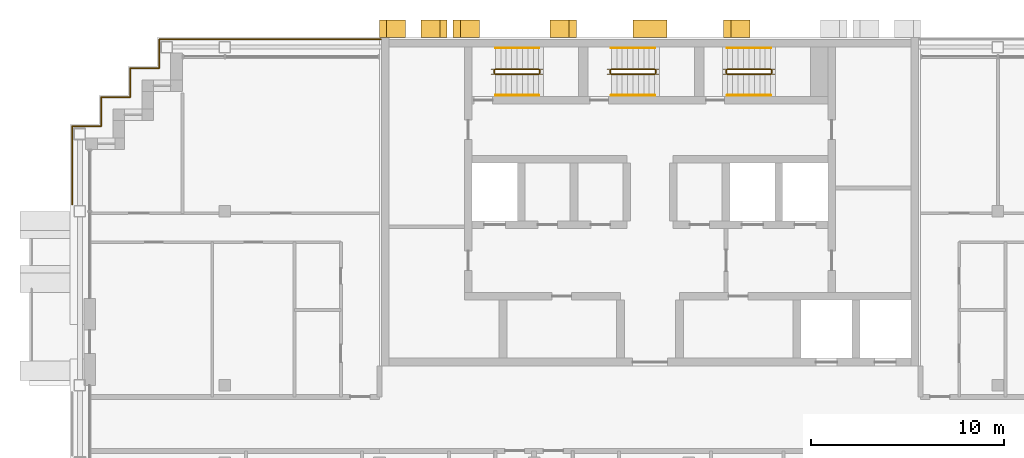
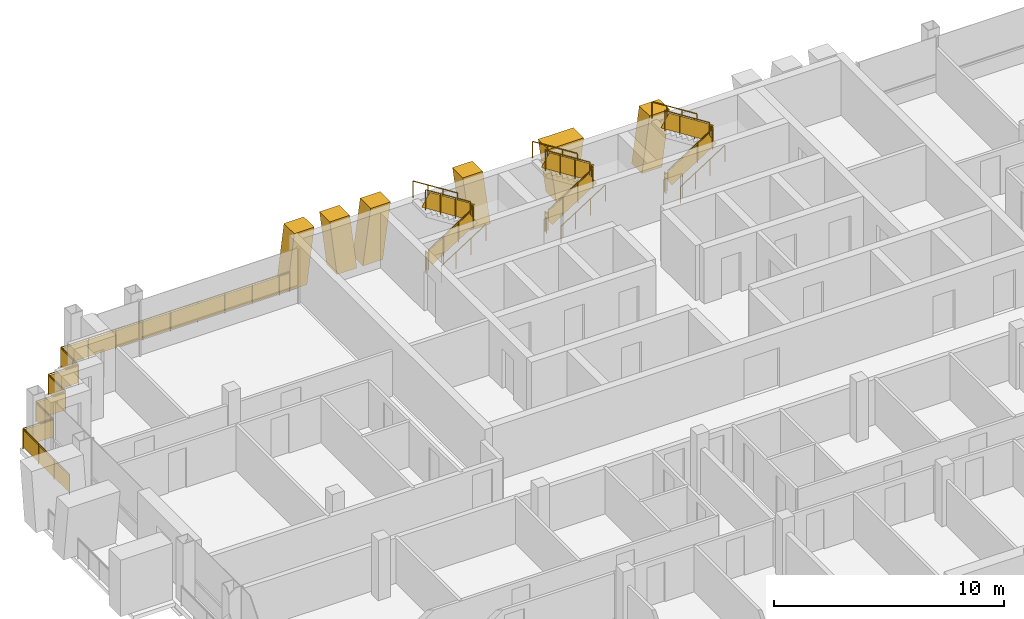
# One storey, part 15 of 16: 21 railings, 6 shading devices.
"""IFC4 building model written with IfcOpenShell, lengths in metres."""

from ifc_helpers import new_model, si_unit, direction, frame, origin, origin_2d, place, context, subcontext, project, spatial, polyline, rectangle, circle, outline, extrude, material, layer, layer_set, type_object, element, save


model = new_model("IFC4")

# Units and contexts
model_context = context("Model", 3, precision=1e-05, world=origin(), true_north=direction((0.0, 1.0)))
body_context = subcontext(model_context, "Body", "Model", "MODEL_VIEW")
ifc_project = project(units=[si_unit("LENGTHUNIT", "METRE"), si_unit("AREAUNIT", "SQUARE_METRE"), si_unit("VOLUMEUNIT", "CUBIC_METRE"), si_unit("PLANEANGLEUNIT", "RADIAN"), si_unit("MASSUNIT", "GRAM", prefix="KILO")], contexts=[model_context])

# Site, building, storey
site_placement = place(None, origin())
site = spatial("IfcSite", under=ifc_project, at=site_placement, CompositionType="ELEMENT")
building_placement = place(site_placement, origin())
building = spatial("IfcBuilding", under=site, at=building_placement, Name="Vidyagriha Tower", CompositionType="ELEMENT")
storey_placement = place(building_placement, frame((0.0, 0.0, 230.0)))
storey = spatial("IfcBuildingStorey", under=building, at=storey_placement, Name="L60", CompositionType="ELEMENT", Elevation=230.0)

# Shading devices
ifc_material_1 = material(Name="Precast concrete C40/50 with brick facing", Category="concrete")
ifc_layer_1 = layer(ifc_material_1, 1.0)
ifc_layer_set_1 = layer_set([ifc_layer_1], Name="Precast concrete C40/50 with brick facing")
shading_device_type_1 = type_object("IfcShadingDeviceType", Name="Brick-faced rear rib arm leaning 8 degrees", PredefinedType="USERDEFINED", material=ifc_layer_set_1)
for number, where, z_axis, x_axis, name in (
    (1, (5.185791015625, 20.449951171875, 0.0), (0.0, 0.0, 1.0), (-1.0, 0.0, 0.0), "Rear rib arm L60 R08.2a"),
    (2, (-8.814208984375, 20.449951171875, 0.0), (0.0, 0.0, 1.0), (-1.0, 0.0, 0.0), "Rear rib arm L60 R08.4a"),
):
    element("IfcShadingDevice", number, at=place(storey_placement, frame(where, z_axis=z_axis, x_axis=x_axis)), inside=storey, type_object=shading_device_type_1, Name=name, ObjectType="BLADE FIN", PredefinedType="USERDEFINED", context=body_context, shape_type="SweptSolid", body=[
        extrude(outline(polyline([(0.3857421875, 0.0), (1.3857421875, 0.0), (1.0, 2.919921875), (0.0, 2.919921875), (0.3857421875, 0.0)])), frame((0.0, 0.449951171875, 0.0), z_axis=(0.0, -1.0, 0.0), x_axis=(1.0, 0.0, 0.0)), (0.0, 0.0, 1.0), 0.89990234375),
    ])
shading_device_1_placement = place(storey_placement, frame((-3.800048828125, 20.449951171875, 0.0), z_axis=(0.0, 0.0, 1.0), x_axis=(-1.0, 0.0, 0.0)))
element("IfcShadingDevice", 3, at=shading_device_1_placement, inside=storey, type_object=shading_device_type_1, Name="Rear rib arm L60 R08.4b", ObjectType="BLADE FIN", PredefinedType="USERDEFINED", context=body_context, shape_type="SweptSolid", body=[
    extrude(outline(polyline([(0.0, 0.0), (1.0, 0.0), (1.3857421875, 2.919921875), (0.3857421875, 2.919921875), (0.0, 0.0)])), frame((0.0, 0.449951171875, 0.0), z_axis=(0.0, -1.0, 0.0), x_axis=(1.0, 0.0, 0.0)), (0.0, 0.0, 1.0), 0.89990234375),
])
shading_device_2_placement = place(storey_placement, frame((-12.642822265625, 20.449951171875, 0.0), z_axis=(0.0, 0.0, 1.0), x_axis=(-1.0, 0.0, 0.0)))
element("IfcShadingDevice", 4, at=shading_device_2_placement, inside=storey, type_object=shading_device_type_1, Name="Rear rib arm L60 R08.5a", ObjectType="BLADE FIN", PredefinedType="USERDEFINED", context=body_context, shape_type="SweptSolid", body=[
    extrude(outline(polyline([(0.357177734375, 0.0), (1.357177734375, 0.0), (1.0, 2.919921875), (0.0, 2.919921875), (0.357177734375, 0.0)])), frame((0.0, 0.449951171875, 0.0), z_axis=(0.0, -1.0, 0.0), x_axis=(1.0, 0.0, 0.0)), (0.0, 0.0, 1.0), 0.89990234375),
])
shading_device_3_placement = place(storey_placement, frame((-10.5, 20.449951171875, 0.0), z_axis=(0.0, 0.0, 1.0), x_axis=(-1.0, 0.0, 0.0)))
element("IfcShadingDevice", 5, at=shading_device_3_placement, inside=storey, type_object=shading_device_type_1, Name="Rear rib arm L60 R08.5b", ObjectType="BLADE FIN", PredefinedType="USERDEFINED", context=body_context, shape_type="SweptSolid", body=[
    extrude(outline(polyline([(0.0, 0.0), (1.0, 0.0), (1.357177734375, 2.919921875), (0.357177734375, 2.919921875), (0.0, 0.0)])), frame((0.0, 0.449951171875, 0.0), z_axis=(0.0, -1.0, 0.0), x_axis=(1.0, 0.0, 0.0)), (0.0, 0.0, 1.0), 0.89990234375),
])
ifc_material_2 = material(Name="Precast concrete C40/50 with brick facing", Category="concrete")
ifc_layer_2 = layer(ifc_material_2, 1.0)
ifc_layer_set_2 = layer_set([ifc_layer_2], Name="Precast concrete C40/50 with brick facing")
shading_device_type_2 = type_object("IfcShadingDeviceType", Name="Brick-faced rear rib forking 8 degrees", PredefinedType="USERDEFINED", material=ifc_layer_set_2)
shading_device_4_placement = place(storey_placement, frame((0.8857421875, 20.449951171875, 0.0), z_axis=(0.0, 0.0, 1.0), x_axis=(-1.0, 0.0, 0.0)))
element("IfcShadingDevice", 6, at=shading_device_4_placement, inside=storey, type_object=shading_device_type_2, Name="Rear rib fork L60 R08.3a", ObjectType="BLADE FIN", PredefinedType="USERDEFINED", context=body_context, shape_type="SweptSolid", body=[
    extrude(outline(polyline([(0.3857421875, 0.0), (1.3857421875, 0.0), (1.771484375, 2.919921875), (0.0, 2.919921875), (0.3857421875, 0.0)])), frame((0.0, 0.449951171875, 0.0), z_axis=(0.0, -1.0, 0.0), x_axis=(1.0, 0.0, 0.0)), (0.0, 0.0, 1.0), 0.89990234375),
])

# Railings
ifc_material_3 = material(Name="Steel ASTM A500 Grade C black painted", Category="steel")
railing_type_1 = type_object("IfcRailingType", Name="Gallery guard 1100", PredefinedType="GUARDRAIL", material=ifc_material_3)
railing_1_placement = place(storey_placement, frame((-29.89990234375, 11.360107421875, 0.0)))
element("IfcRailing", 7, at=railing_1_placement, inside=storey, type_object=railing_type_1, Name="Gallery guard L60 4", PredefinedType="GUARDRAIL", context=body_context, shape_type="SweptSolid", body=[
    extrude(circle(Radius=0.02490234375, at=origin_2d()), frame((0.0, 0.0, 1.0751953125), z_axis=(0.0, 1.0, 0.0), x_axis=(-1.0, 0.0, 0.0)), (0.0, 0.0, 1.0), 4.039794921875),
    extrude(circle(Radius=0.02490234375, at=origin_2d()), frame((0.0, 4.039794921875, 1.0751953125), z_axis=(1.0, 0.0, 0.0), x_axis=(0.0, 1.0, 0.0)), (0.0, 0.0, 1.0), 1.5),
    extrude(circle(Radius=0.02490234375, at=origin_2d()), frame((1.5, 4.039794921875, 1.0751953125), z_axis=(0.0, 1.0, 0.0), x_axis=(-1.0, 0.0, 0.0)), (0.0, 0.0, 1.0), 1.5),
    extrude(circle(Radius=0.02490234375, at=origin_2d()), frame((1.5, 5.539794921875, 1.0751953125), z_axis=(1.0, 0.0, 0.0), x_axis=(0.0, 1.0, 0.0)), (0.0, 0.0, 1.0), 1.5),
    extrude(circle(Radius=0.02490234375, at=origin_2d()), frame((3.0, 5.539794921875, 1.0751953125), z_axis=(0.0, 1.0, 0.0), x_axis=(-1.0, 0.0, 0.0)), (0.0, 0.0, 1.0), 1.5),
    extrude(circle(Radius=0.02490234375, at=origin_2d()), frame((3.0, 7.039794921875, 1.0751953125), z_axis=(1.0, 0.0, 0.0), x_axis=(0.0, 1.0, 0.0)), (0.0, 0.0, 1.0), 1.5),
    extrude(circle(Radius=0.02490234375, at=origin_2d()), frame((4.5, 7.039794921875, 1.0751953125), z_axis=(0.0, 1.0, 0.0), x_axis=(-1.0, 0.0, 0.0)), (0.0, 0.0, 1.0), 0.460205078125),
    extrude(circle(Radius=0.02001953125, at=origin_2d()), origin(), (0.0, 0.0, 1.0), 1.050048828125),
    extrude(circle(Radius=0.02001953125, at=origin_2d()), frame((0.0, 1.3466796875, 0.0)), (0.0, 0.0, 1.0), 1.050048828125),
    extrude(circle(Radius=0.02001953125, at=origin_2d()), frame((0.0, 2.693115234375, 0.0)), (0.0, 0.0, 1.0), 1.050048828125),
    extrude(circle(Radius=0.02001953125, at=origin_2d()), frame((0.0, 4.039794921875, 0.0)), (0.0, 0.0, 1.0), 1.050048828125),
    extrude(circle(Radius=0.02001953125, at=origin_2d()), frame((1.5, 4.039794921875, 0.0)), (0.0, 0.0, 1.0), 1.050048828125),
    extrude(circle(Radius=0.02001953125, at=origin_2d()), frame((1.5, 5.539794921875, 0.0)), (0.0, 0.0, 1.0), 1.050048828125),
    extrude(circle(Radius=0.02001953125, at=origin_2d()), frame((3.0, 5.539794921875, 0.0)), (0.0, 0.0, 1.0), 1.050048828125),
    extrude(circle(Radius=0.02001953125, at=origin_2d()), frame((3.0, 7.039794921875, 0.0)), (0.0, 0.0, 1.0), 1.050048828125),
    extrude(circle(Radius=0.02001953125, at=origin_2d()), frame((4.5, 7.039794921875, 0.0)), (0.0, 0.0, 1.0), 1.050048828125),
    extrude(circle(Radius=0.02001953125, at=origin_2d()), frame((4.5, 7.5, 0.0)), (0.0, 0.0, 1.0), 1.050048828125),
    extrude(rectangle(XDim=0.010009765625, YDim=0.900146484375, at=origin_2d()), frame((0.0, 0.0, 0.550048828125), z_axis=(0.0, 1.0, 0.0), x_axis=(-1.0, 0.0, 0.0)), (0.0, 0.0, 1.0), 4.039794921875),
    extrude(rectangle(XDim=0.010009765625, YDim=0.900146484375, at=origin_2d()), frame((0.0, 4.039794921875, 0.550048828125), z_axis=(1.0, 0.0, 0.0), x_axis=(0.0, 1.0, 0.0)), (0.0, 0.0, 1.0), 1.5),
    extrude(rectangle(XDim=0.010009765625, YDim=0.900146484375, at=origin_2d()), frame((1.5, 4.039794921875, 0.550048828125), z_axis=(0.0, 1.0, 0.0), x_axis=(-1.0, 0.0, 0.0)), (0.0, 0.0, 1.0), 1.5),
    extrude(rectangle(XDim=0.010009765625, YDim=0.900146484375, at=origin_2d()), frame((1.5, 5.539794921875, 0.550048828125), z_axis=(1.0, 0.0, 0.0), x_axis=(0.0, 1.0, 0.0)), (0.0, 0.0, 1.0), 1.5),
    extrude(rectangle(XDim=0.010009765625, YDim=0.900146484375, at=origin_2d()), frame((3.0, 5.539794921875, 0.550048828125), z_axis=(0.0, 1.0, 0.0), x_axis=(-1.0, 0.0, 0.0)), (0.0, 0.0, 1.0), 1.5),
    extrude(rectangle(XDim=0.010009765625, YDim=0.900146484375, at=origin_2d()), frame((3.0, 7.039794921875, 0.550048828125), z_axis=(1.0, 0.0, 0.0), x_axis=(0.0, 1.0, 0.0)), (0.0, 0.0, 1.0), 1.5),
    extrude(rectangle(XDim=0.010009765625, YDim=0.900146484375, at=origin_2d()), frame((4.5, 7.039794921875, 0.550048828125), z_axis=(0.0, 1.0, 0.0), x_axis=(-1.0, 0.0, 0.0)), (0.0, 0.0, 1.0), 0.460205078125),
])
railing_2_placement = place(storey_placement, frame((-25.39990234375, 18.860107421875, 0.0)))
element("IfcRailing", 8, at=railing_2_placement, inside=storey, type_object=railing_type_1, Name="Gallery guard L60 5", PredefinedType="GUARDRAIL", context=body_context, shape_type="SweptSolid", body=[
    extrude(circle(Radius=0.02490234375, at=origin_2d()), frame((0.0, 0.0, 1.0751953125), z_axis=(0.0, 1.0, 0.0), x_axis=(-1.0, 0.0, 0.0)), (0.0, 0.0, 1.0), 1.039794921875),
    extrude(circle(Radius=0.02490234375, at=origin_2d()), frame((0.0, 1.039794921875, 1.0751953125), z_axis=(1.0, 0.0, 0.0), x_axis=(0.0, 1.0, 0.0)), (0.0, 0.0, 1.0), 10.9599609375),
    extrude(circle(Radius=0.02001953125, at=origin_2d()), origin(), (0.0, 0.0, 1.0), 1.050048828125),
    extrude(circle(Radius=0.02001953125, at=origin_2d()), frame((0.0, 1.039794921875, 0.0)), (0.0, 0.0, 1.0), 1.050048828125),
    extrude(circle(Radius=0.02001953125, at=origin_2d()), frame((1.3701171875, 1.039794921875, 0.0)), (0.0, 0.0, 1.0), 1.050048828125),
    extrude(circle(Radius=0.02001953125, at=origin_2d()), frame((2.739990234375, 1.039794921875, 0.0)), (0.0, 0.0, 1.0), 1.050048828125),
    extrude(circle(Radius=0.02001953125, at=origin_2d()), frame((4.10986328125, 1.039794921875, 0.0)), (0.0, 0.0, 1.0), 1.050048828125),
    extrude(circle(Radius=0.02001953125, at=origin_2d()), frame((5.47998046875, 1.039794921875, 0.0)), (0.0, 0.0, 1.0), 1.050048828125),
    extrude(circle(Radius=0.02001953125, at=origin_2d()), frame((6.85009765625, 1.039794921875, 0.0)), (0.0, 0.0, 1.0), 1.050048828125),
    extrude(circle(Radius=0.02001953125, at=origin_2d()), frame((8.219970703125, 1.039794921875, 0.0)), (0.0, 0.0, 1.0), 1.050048828125),
    extrude(circle(Radius=0.02001953125, at=origin_2d()), frame((9.58984375, 1.039794921875, 0.0)), (0.0, 0.0, 1.0), 1.050048828125),
    extrude(circle(Radius=0.02001953125, at=origin_2d()), frame((10.9599609375, 1.039794921875, 0.0)), (0.0, 0.0, 1.0), 1.050048828125),
    extrude(rectangle(XDim=0.010009765625, YDim=0.900146484375, at=origin_2d()), frame((0.0, 0.0, 0.550048828125), z_axis=(0.0, 1.0, 0.0), x_axis=(-1.0, 0.0, 0.0)), (0.0, 0.0, 1.0), 1.039794921875),
    extrude(rectangle(XDim=0.010009765625, YDim=0.900146484375, at=origin_2d()), frame((0.0, 1.039794921875, 0.550048828125), z_axis=(1.0, 0.0, 0.0), x_axis=(0.0, 1.0, 0.0)), (0.0, 0.0, 1.0), 10.9599609375),
])
railing_3_placement = place(storey_placement, frame((-14.43994140625, 19.89990234375, 0.0)))
element("IfcRailing", 9, at=railing_3_placement, inside=storey, type_object=railing_type_1, Name="Gallery guard L60 6", PredefinedType="GUARDRAIL", context=body_context, shape_type="SweptSolid", body=[
    extrude(circle(Radius=0.02490234375, at=origin_2d()), frame((0.0, 0.0, 1.0751953125), z_axis=(1.0, 0.0, 0.0), x_axis=(0.0, 1.0, 0.0)), (0.0, 0.0, 1.0), 0.510009765625),
    extrude(circle(Radius=0.02001953125, at=origin_2d()), origin(), (0.0, 0.0, 1.0), 1.050048828125),
    extrude(circle(Radius=0.02001953125, at=origin_2d()), frame((0.510009765625, 0.0, 0.0)), (0.0, 0.0, 1.0), 1.050048828125),
    extrude(rectangle(XDim=0.010009765625, YDim=0.900146484375, at=origin_2d()), frame((0.0, 0.0, 0.550048828125), z_axis=(1.0, 0.0, 0.0), x_axis=(0.0, 1.0, 0.0)), (0.0, 0.0, 1.0), 0.510009765625),
])
ifc_material_4 = material(Name="Steel ASTM A500 Grade C", Category="steel")
railing_type_2 = type_object("IfcRailingType", Name="Stair guard 1100 mm, steel balustrade", PredefinedType="GUARDRAIL", material=ifc_material_4)
railing_4_placement = place(storey_placement, frame((-8.0, 18.10009765625, 0.177734375)))
element("IfcRailing", 10, at=railing_4_placement, inside=storey, type_object=railing_type_2, Name="L60 ST1 stair guard 1", PredefinedType="GUARDRAIL", context=body_context, shape_type="SweptSolid", body=[
    extrude(circle(Radius=0.02392578125, at=origin_2d()), frame((0.0, 0.0, 1.076171875), z_axis=(0.84418770128, 0.0, 0.536047689118), x_axis=(0.0, 1.0, 0.0)), (0.0, 0.0, 1.0), 2.6533203125),
    extrude(circle(Radius=0.02099609375, at=origin_2d()), origin(), (0.0, 0.0, 1.0), 1.052001953125),
    extrude(circle(Radius=0.02099609375, at=origin_2d()), frame((0.74658203125, 0.0, 0.47412109375)), (0.0, 0.0, 1.0), 1.052001953125),
    extrude(circle(Radius=0.02099609375, at=origin_2d()), frame((1.493408203125, 0.0, 0.9482421875)), (0.0, 0.0, 1.0), 1.052001953125),
    extrude(circle(Radius=0.02099609375, at=origin_2d()), frame((2.239990234375, 0.0, 1.42236328125)), (0.0, 0.0, 1.0), 1.052001953125),
    extrude(rectangle(XDim=0.010009765625, YDim=0.761474609375, at=origin_2d()), frame((0.0, 0.0, 0.551025390625), z_axis=(0.84418770128, 0.0, 0.536047689118), x_axis=(0.0, 1.0, 0.0)), (0.0, 0.0, 1.0), 2.6533203125),
])
railing_5_placement = place(storey_placement, frame((-5.7099609375, 18.14990234375, 1.60009765625)))
element("IfcRailing", 11, at=railing_5_placement, inside=storey, type_object=railing_type_2, Name="L60 ST1 stair guard 2", PredefinedType="GUARDRAIL", context=body_context, shape_type="SweptSolid", body=[
    extrude(circle(Radius=0.02392578125, at=origin_2d()), frame((0.0, 0.0, 1.076171875), z_axis=(0.0, 1.0, 0.0), x_axis=(-1.0, 0.0, 0.0)), (0.0, 0.0, 1.0), 0.150146484375),
    extrude(circle(Radius=0.02099609375, at=origin_2d()), origin(), (0.0, 0.0, 1.0), 1.052001953125),
    extrude(circle(Radius=0.02099609375, at=origin_2d()), frame((0.0, 0.150146484375, 0.0)), (0.0, 0.0, 1.0), 1.052001953125),
    extrude(rectangle(XDim=0.010009765625, YDim=0.902099609375, at=origin_2d()), frame((0.0, 0.0, 0.551025390625), z_axis=(0.0, 1.0, 0.0), x_axis=(-1.0, 0.0, 0.0)), (0.0, 0.0, 1.0), 0.150146484375),
])
railing_6_placement = place(storey_placement, frame((-5.760009765625, 18.35009765625, 1.77783203125)))
element("IfcRailing", 12, at=railing_6_placement, inside=storey, type_object=railing_type_2, Name="L60 ST1 stair guard 3", PredefinedType="GUARDRAIL", context=body_context, shape_type="SweptSolid", body=[
    extrude(circle(Radius=0.02392578125, at=origin_2d()), frame((0.0, 0.0, 1.076171875), z_axis=(-0.8442293374, 0.0, 0.53598211339), x_axis=(0.0, -1.0, 0.0)), (0.0, 0.0, 1.0), 2.6533203125),
    extrude(circle(Radius=0.02099609375, at=origin_2d()), origin(), (0.0, 0.0, 1.0), 1.052001953125),
    extrude(circle(Radius=0.02099609375, at=origin_2d()), frame((-0.74658203125, 0.0, 0.47412109375)), (0.0, 0.0, 1.0), 1.052001953125),
    extrude(circle(Radius=0.02099609375, at=origin_2d()), frame((-1.493408203125, 0.0, 0.947998046875)), (0.0, 0.0, 1.0), 1.052001953125),
    extrude(circle(Radius=0.02099609375, at=origin_2d()), frame((-2.239990234375, 0.0, 1.422119140625)), (0.0, 0.0, 1.0), 1.052001953125),
    extrude(rectangle(XDim=0.010009765625, YDim=0.761474609375, at=origin_2d()), frame((0.0, 0.0, 0.551025390625), z_axis=(-0.8442293374, 0.0, 0.53598211339), x_axis=(0.0, -1.0, 0.0)), (0.0, 0.0, 1.0), 2.6533203125),
])
railing_7_placement = place(storey_placement, frame((-8.050048828125, 18.14990234375, 0.0)))
element("IfcRailing", 13, at=railing_7_placement, inside=storey, type_object=railing_type_2, Name="L60 ST1 stair guard 4", PredefinedType="GUARDRAIL", context=body_context, shape_type="SweptSolid", body=[
    extrude(circle(Radius=0.02392578125, at=origin_2d()), frame((0.0, 0.0, 1.076171875), z_axis=(0.0, 1.0, 0.0), x_axis=(-1.0, 0.0, 0.0)), (0.0, 0.0, 1.0), 0.150146484375),
    extrude(circle(Radius=0.02099609375, at=origin_2d()), origin(), (0.0, 0.0, 1.0), 1.052001953125),
    extrude(circle(Radius=0.02099609375, at=origin_2d()), frame((0.0, 0.150146484375, 0.0)), (0.0, 0.0, 1.0), 1.052001953125),
    extrude(rectangle(XDim=0.010009765625, YDim=0.902099609375, at=origin_2d()), frame((0.0, 0.0, 0.551025390625), z_axis=(0.0, 1.0, 0.0), x_axis=(-1.0, 0.0, 0.0)), (0.0, 0.0, 1.0), 0.150146484375),
])
railing_8_placement = place(storey_placement, frame((-2.0, 18.10009765625, 0.177734375)))
element("IfcRailing", 14, at=railing_8_placement, inside=storey, type_object=railing_type_2, Name="L60 ST2 stair guard 1", PredefinedType="GUARDRAIL", context=body_context, shape_type="SweptSolid", body=[
    extrude(circle(Radius=0.02392578125, at=origin_2d()), frame((0.0, 0.0, 1.076171875), z_axis=(0.84418770128, 0.0, 0.536047689118), x_axis=(0.0, 1.0, 0.0)), (0.0, 0.0, 1.0), 2.6533203125),
    extrude(circle(Radius=0.02099609375, at=origin_2d()), origin(), (0.0, 0.0, 1.0), 1.052001953125),
    extrude(circle(Radius=0.02099609375, at=origin_2d()), frame((0.74658203125, 0.0, 0.47412109375)), (0.0, 0.0, 1.0), 1.052001953125),
    extrude(circle(Radius=0.02099609375, at=origin_2d()), frame((1.493408203125, 0.0, 0.9482421875)), (0.0, 0.0, 1.0), 1.052001953125),
    extrude(circle(Radius=0.02099609375, at=origin_2d()), frame((2.239990234375, 0.0, 1.42236328125)), (0.0, 0.0, 1.0), 1.052001953125),
    extrude(rectangle(XDim=0.010009765625, YDim=0.761474609375, at=origin_2d()), frame((0.0, 0.0, 0.551025390625), z_axis=(0.84418770128, 0.0, 0.536047689118), x_axis=(0.0, 1.0, 0.0)), (0.0, 0.0, 1.0), 2.6533203125),
])
railing_9_placement = place(storey_placement, frame((0.2900390625, 18.14990234375, 1.60009765625)))
element("IfcRailing", 15, at=railing_9_placement, inside=storey, type_object=railing_type_2, Name="L60 ST2 stair guard 2", PredefinedType="GUARDRAIL", context=body_context, shape_type="SweptSolid", body=[
    extrude(circle(Radius=0.02392578125, at=origin_2d()), frame((0.0, 0.0, 1.076171875), z_axis=(0.0, 1.0, 0.0), x_axis=(-1.0, 0.0, 0.0)), (0.0, 0.0, 1.0), 0.150146484375),
    extrude(circle(Radius=0.02099609375, at=origin_2d()), origin(), (0.0, 0.0, 1.0), 1.052001953125),
    extrude(circle(Radius=0.02099609375, at=origin_2d()), frame((0.0, 0.150146484375, 0.0)), (0.0, 0.0, 1.0), 1.052001953125),
    extrude(rectangle(XDim=0.010009765625, YDim=0.902099609375, at=origin_2d()), frame((0.0, 0.0, 0.551025390625), z_axis=(0.0, 1.0, 0.0), x_axis=(-1.0, 0.0, 0.0)), (0.0, 0.0, 1.0), 0.150146484375),
])
railing_10_placement = place(storey_placement, frame((0.239990234375, 18.35009765625, 1.77783203125)))
element("IfcRailing", 16, at=railing_10_placement, inside=storey, type_object=railing_type_2, Name="L60 ST2 stair guard 3", PredefinedType="GUARDRAIL", context=body_context, shape_type="SweptSolid", body=[
    extrude(circle(Radius=0.02392578125, at=origin_2d()), frame((0.0, 0.0, 1.076171875), z_axis=(-0.8442293374, 0.0, 0.53598211339), x_axis=(0.0, -1.0, 0.0)), (0.0, 0.0, 1.0), 2.6533203125),
    extrude(circle(Radius=0.02099609375, at=origin_2d()), origin(), (0.0, 0.0, 1.0), 1.052001953125),
    extrude(circle(Radius=0.02099609375, at=origin_2d()), frame((-0.74658203125, 0.0, 0.47412109375)), (0.0, 0.0, 1.0), 1.052001953125),
    extrude(circle(Radius=0.02099609375, at=origin_2d()), frame((-1.493408203125, 0.0, 0.947998046875)), (0.0, 0.0, 1.0), 1.052001953125),
    extrude(circle(Radius=0.02099609375, at=origin_2d()), frame((-2.239990234375, 0.0, 1.422119140625)), (0.0, 0.0, 1.0), 1.052001953125),
    extrude(rectangle(XDim=0.010009765625, YDim=0.761474609375, at=origin_2d()), frame((0.0, 0.0, 0.551025390625), z_axis=(-0.8442293374, 0.0, 0.53598211339), x_axis=(0.0, -1.0, 0.0)), (0.0, 0.0, 1.0), 2.6533203125),
])
railing_11_placement = place(storey_placement, frame((-2.050048828125, 18.14990234375, 0.0)))
element("IfcRailing", 17, at=railing_11_placement, inside=storey, type_object=railing_type_2, Name="L60 ST2 stair guard 4", PredefinedType="GUARDRAIL", context=body_context, shape_type="SweptSolid", body=[
    extrude(circle(Radius=0.02392578125, at=origin_2d()), frame((0.0, 0.0, 1.076171875), z_axis=(0.0, 1.0, 0.0), x_axis=(-1.0, 0.0, 0.0)), (0.0, 0.0, 1.0), 0.150146484375),
    extrude(circle(Radius=0.02099609375, at=origin_2d()), origin(), (0.0, 0.0, 1.0), 1.052001953125),
    extrude(circle(Radius=0.02099609375, at=origin_2d()), frame((0.0, 0.150146484375, 0.0)), (0.0, 0.0, 1.0), 1.052001953125),
    extrude(rectangle(XDim=0.010009765625, YDim=0.902099609375, at=origin_2d()), frame((0.0, 0.0, 0.551025390625), z_axis=(0.0, 1.0, 0.0), x_axis=(-1.0, 0.0, 0.0)), (0.0, 0.0, 1.0), 0.150146484375),
])
railing_12_placement = place(storey_placement, frame((4.0, 18.10009765625, 0.177734375)))
element("IfcRailing", 18, at=railing_12_placement, inside=storey, type_object=railing_type_2, Name="L60 ST3 stair guard 1", PredefinedType="GUARDRAIL", context=body_context, shape_type="SweptSolid", body=[
    extrude(circle(Radius=0.02392578125, at=origin_2d()), frame((0.0, 0.0, 1.076171875), z_axis=(0.84418770128, 0.0, 0.536047689118), x_axis=(0.0, 1.0, 0.0)), (0.0, 0.0, 1.0), 2.6533203125),
    extrude(circle(Radius=0.02099609375, at=origin_2d()), origin(), (0.0, 0.0, 1.0), 1.052001953125),
    extrude(circle(Radius=0.02099609375, at=origin_2d()), frame((0.74658203125, 0.0, 0.47412109375)), (0.0, 0.0, 1.0), 1.052001953125),
    extrude(circle(Radius=0.02099609375, at=origin_2d()), frame((1.493408203125, 0.0, 0.9482421875)), (0.0, 0.0, 1.0), 1.052001953125),
    extrude(circle(Radius=0.02099609375, at=origin_2d()), frame((2.239990234375, 0.0, 1.42236328125)), (0.0, 0.0, 1.0), 1.052001953125),
    extrude(rectangle(XDim=0.010009765625, YDim=0.761474609375, at=origin_2d()), frame((0.0, 0.0, 0.551025390625), z_axis=(0.84418770128, 0.0, 0.536047689118), x_axis=(0.0, 1.0, 0.0)), (0.0, 0.0, 1.0), 2.6533203125),
])
railing_13_placement = place(storey_placement, frame((6.2900390625, 18.14990234375, 1.60009765625)))
element("IfcRailing", 19, at=railing_13_placement, inside=storey, type_object=railing_type_2, Name="L60 ST3 stair guard 2", PredefinedType="GUARDRAIL", context=body_context, shape_type="SweptSolid", body=[
    extrude(circle(Radius=0.02392578125, at=origin_2d()), frame((0.0, 0.0, 1.076171875), z_axis=(0.0, 1.0, 0.0), x_axis=(-1.0, 0.0, 0.0)), (0.0, 0.0, 1.0), 0.150146484375),
    extrude(circle(Radius=0.02099609375, at=origin_2d()), origin(), (0.0, 0.0, 1.0), 1.052001953125),
    extrude(circle(Radius=0.02099609375, at=origin_2d()), frame((0.0, 0.150146484375, 0.0)), (0.0, 0.0, 1.0), 1.052001953125),
    extrude(rectangle(XDim=0.010009765625, YDim=0.902099609375, at=origin_2d()), frame((0.0, 0.0, 0.551025390625), z_axis=(0.0, 1.0, 0.0), x_axis=(-1.0, 0.0, 0.0)), (0.0, 0.0, 1.0), 0.150146484375),
])
railing_14_placement = place(storey_placement, frame((6.239990234375, 18.35009765625, 1.77783203125)))
element("IfcRailing", 20, at=railing_14_placement, inside=storey, type_object=railing_type_2, Name="L60 ST3 stair guard 3", PredefinedType="GUARDRAIL", context=body_context, shape_type="SweptSolid", body=[
    extrude(circle(Radius=0.02392578125, at=origin_2d()), frame((0.0, 0.0, 1.076171875), z_axis=(-0.8442293374, 0.0, 0.53598211339), x_axis=(0.0, -1.0, 0.0)), (0.0, 0.0, 1.0), 2.6533203125),
    extrude(circle(Radius=0.02099609375, at=origin_2d()), origin(), (0.0, 0.0, 1.0), 1.052001953125),
    extrude(circle(Radius=0.02099609375, at=origin_2d()), frame((-0.74658203125, 0.0, 0.47412109375)), (0.0, 0.0, 1.0), 1.052001953125),
    extrude(circle(Radius=0.02099609375, at=origin_2d()), frame((-1.493408203125, 0.0, 0.947998046875)), (0.0, 0.0, 1.0), 1.052001953125),
    extrude(circle(Radius=0.02099609375, at=origin_2d()), frame((-2.239990234375, 0.0, 1.422119140625)), (0.0, 0.0, 1.0), 1.052001953125),
    extrude(rectangle(XDim=0.010009765625, YDim=0.761474609375, at=origin_2d()), frame((0.0, 0.0, 0.551025390625), z_axis=(-0.8442293374, 0.0, 0.53598211339), x_axis=(0.0, -1.0, 0.0)), (0.0, 0.0, 1.0), 2.6533203125),
])
railing_15_placement = place(storey_placement, frame((3.949951171875, 18.14990234375, 0.0)))
element("IfcRailing", 21, at=railing_15_placement, inside=storey, type_object=railing_type_2, Name="L60 ST3 stair guard 4", PredefinedType="GUARDRAIL", context=body_context, shape_type="SweptSolid", body=[
    extrude(circle(Radius=0.02392578125, at=origin_2d()), frame((0.0, 0.0, 1.076171875), z_axis=(0.0, 1.0, 0.0), x_axis=(-1.0, 0.0, 0.0)), (0.0, 0.0, 1.0), 0.150146484375),
    extrude(circle(Radius=0.02099609375, at=origin_2d()), origin(), (0.0, 0.0, 1.0), 1.052001953125),
    extrude(circle(Radius=0.02099609375, at=origin_2d()), frame((0.0, 0.150146484375, 0.0)), (0.0, 0.0, 1.0), 1.052001953125),
    extrude(rectangle(XDim=0.010009765625, YDim=0.902099609375, at=origin_2d()), frame((0.0, 0.0, 0.551025390625), z_axis=(0.0, 1.0, 0.0), x_axis=(-1.0, 0.0, 0.0)), (0.0, 0.0, 1.0), 0.150146484375),
])
ifc_material_5 = material(Name="Steel ASTM A500 Grade C", Category="steel")
railing_type_3 = type_object("IfcRailingType", Name="Stair handrail 900 mm, steel", PredefinedType="HANDRAIL", material=ifc_material_5)
railing_16_placement = place(storey_placement, frame((-8.0, 17.0, 0.177734375)))
element("IfcRailing", 22, at=railing_16_placement, inside=storey, type_object=railing_type_3, Name="L60 ST1 stair handrail 1", PredefinedType="HANDRAIL", context=body_context, shape_type="SweptSolid", body=[
    extrude(circle(Radius=0.02392578125, at=origin_2d()), frame((0.0, 0.0, 0.8759765625), z_axis=(0.84418770128, 0.0, 0.536047689118), x_axis=(0.0, 1.0, 0.0)), (0.0, 0.0, 1.0), 2.6533203125),
    extrude(circle(Radius=0.02099609375, at=origin_2d()), origin(), (0.0, 0.0, 1.0), 0.851806640625),
    extrude(circle(Radius=0.02099609375, at=origin_2d()), frame((0.74658203125, 0.0, 0.47412109375)), (0.0, 0.0, 1.0), 0.851806640625),
    extrude(circle(Radius=0.02099609375, at=origin_2d()), frame((1.493408203125, 0.0, 0.9482421875)), (0.0, 0.0, 1.0), 0.851806640625),
    extrude(circle(Radius=0.02099609375, at=origin_2d()), frame((2.239990234375, 0.0, 1.42236328125)), (0.0, 0.0, 1.0), 0.851806640625),
])
railing_17_placement = place(storey_placement, frame((-5.760009765625, 19.449951171875, 1.77783203125)))
element("IfcRailing", 23, at=railing_17_placement, inside=storey, type_object=railing_type_3, Name="L60 ST1 stair handrail 2", PredefinedType="HANDRAIL", context=body_context, shape_type="SweptSolid", body=[
    extrude(circle(Radius=0.02392578125, at=origin_2d()), frame((0.0, 0.0, 0.8759765625), z_axis=(-0.8442293374, 0.0, 0.53598211339), x_axis=(0.0, -1.0, 0.0)), (0.0, 0.0, 1.0), 2.6533203125),
    extrude(circle(Radius=0.02099609375, at=origin_2d()), origin(), (0.0, 0.0, 1.0), 0.851806640625),
    extrude(circle(Radius=0.02099609375, at=origin_2d()), frame((-0.74658203125, 0.0, 0.47412109375)), (0.0, 0.0, 1.0), 0.851806640625),
    extrude(circle(Radius=0.02099609375, at=origin_2d()), frame((-1.493408203125, 0.0, 0.947998046875)), (0.0, 0.0, 1.0), 0.851806640625),
    extrude(circle(Radius=0.02099609375, at=origin_2d()), frame((-2.239990234375, 0.0, 1.422119140625)), (0.0, 0.0, 1.0), 0.851806640625),
])
railing_18_placement = place(storey_placement, frame((-2.0, 17.0, 0.177734375)))
element("IfcRailing", 24, at=railing_18_placement, inside=storey, type_object=railing_type_3, Name="L60 ST2 stair handrail 1", PredefinedType="HANDRAIL", context=body_context, shape_type="SweptSolid", body=[
    extrude(circle(Radius=0.02392578125, at=origin_2d()), frame((0.0, 0.0, 0.8759765625), z_axis=(0.84418770128, 0.0, 0.536047689118), x_axis=(0.0, 1.0, 0.0)), (0.0, 0.0, 1.0), 2.6533203125),
    extrude(circle(Radius=0.02099609375, at=origin_2d()), origin(), (0.0, 0.0, 1.0), 0.851806640625),
    extrude(circle(Radius=0.02099609375, at=origin_2d()), frame((0.74658203125, 0.0, 0.47412109375)), (0.0, 0.0, 1.0), 0.851806640625),
    extrude(circle(Radius=0.02099609375, at=origin_2d()), frame((1.493408203125, 0.0, 0.9482421875)), (0.0, 0.0, 1.0), 0.851806640625),
    extrude(circle(Radius=0.02099609375, at=origin_2d()), frame((2.239990234375, 0.0, 1.42236328125)), (0.0, 0.0, 1.0), 0.851806640625),
])
railing_19_placement = place(storey_placement, frame((0.239990234375, 19.449951171875, 1.77783203125)))
element("IfcRailing", 25, at=railing_19_placement, inside=storey, type_object=railing_type_3, Name="L60 ST2 stair handrail 2", PredefinedType="HANDRAIL", context=body_context, shape_type="SweptSolid", body=[
    extrude(circle(Radius=0.02392578125, at=origin_2d()), frame((0.0, 0.0, 0.8759765625), z_axis=(-0.8442293374, 0.0, 0.53598211339), x_axis=(0.0, -1.0, 0.0)), (0.0, 0.0, 1.0), 2.6533203125),
    extrude(circle(Radius=0.02099609375, at=origin_2d()), origin(), (0.0, 0.0, 1.0), 0.851806640625),
    extrude(circle(Radius=0.02099609375, at=origin_2d()), frame((-0.74658203125, 0.0, 0.47412109375)), (0.0, 0.0, 1.0), 0.851806640625),
    extrude(circle(Radius=0.02099609375, at=origin_2d()), frame((-1.493408203125, 0.0, 0.947998046875)), (0.0, 0.0, 1.0), 0.851806640625),
    extrude(circle(Radius=0.02099609375, at=origin_2d()), frame((-2.239990234375, 0.0, 1.422119140625)), (0.0, 0.0, 1.0), 0.851806640625),
])
railing_20_placement = place(storey_placement, frame((4.0, 17.0, 0.177734375)))
element("IfcRailing", 26, at=railing_20_placement, inside=storey, type_object=railing_type_3, Name="L60 ST3 stair handrail 1", PredefinedType="HANDRAIL", context=body_context, shape_type="SweptSolid", body=[
    extrude(circle(Radius=0.02392578125, at=origin_2d()), frame((0.0, 0.0, 0.8759765625), z_axis=(0.84418770128, 0.0, 0.536047689118), x_axis=(0.0, 1.0, 0.0)), (0.0, 0.0, 1.0), 2.6533203125),
    extrude(circle(Radius=0.02099609375, at=origin_2d()), origin(), (0.0, 0.0, 1.0), 0.851806640625),
    extrude(circle(Radius=0.02099609375, at=origin_2d()), frame((0.74658203125, 0.0, 0.47412109375)), (0.0, 0.0, 1.0), 0.851806640625),
    extrude(circle(Radius=0.02099609375, at=origin_2d()), frame((1.493408203125, 0.0, 0.9482421875)), (0.0, 0.0, 1.0), 0.851806640625),
    extrude(circle(Radius=0.02099609375, at=origin_2d()), frame((2.239990234375, 0.0, 1.42236328125)), (0.0, 0.0, 1.0), 0.851806640625),
])
railing_21_placement = place(storey_placement, frame((6.239990234375, 19.449951171875, 1.77783203125)))
element("IfcRailing", 27, at=railing_21_placement, inside=storey, type_object=railing_type_3, Name="L60 ST3 stair handrail 2", PredefinedType="HANDRAIL", context=body_context, shape_type="SweptSolid", body=[
    extrude(circle(Radius=0.02392578125, at=origin_2d()), frame((0.0, 0.0, 0.8759765625), z_axis=(-0.8442293374, 0.0, 0.53598211339), x_axis=(0.0, -1.0, 0.0)), (0.0, 0.0, 1.0), 2.6533203125),
    extrude(circle(Radius=0.02099609375, at=origin_2d()), origin(), (0.0, 0.0, 1.0), 0.851806640625),
    extrude(circle(Radius=0.02099609375, at=origin_2d()), frame((-0.74658203125, 0.0, 0.47412109375)), (0.0, 0.0, 1.0), 0.851806640625),
    extrude(circle(Radius=0.02099609375, at=origin_2d()), frame((-1.493408203125, 0.0, 0.947998046875)), (0.0, 0.0, 1.0), 0.851806640625),
    extrude(circle(Radius=0.02099609375, at=origin_2d()), frame((-2.239990234375, 0.0, 1.422119140625)), (0.0, 0.0, 1.0), 0.851806640625),
])

save(model, "model.ifc")
